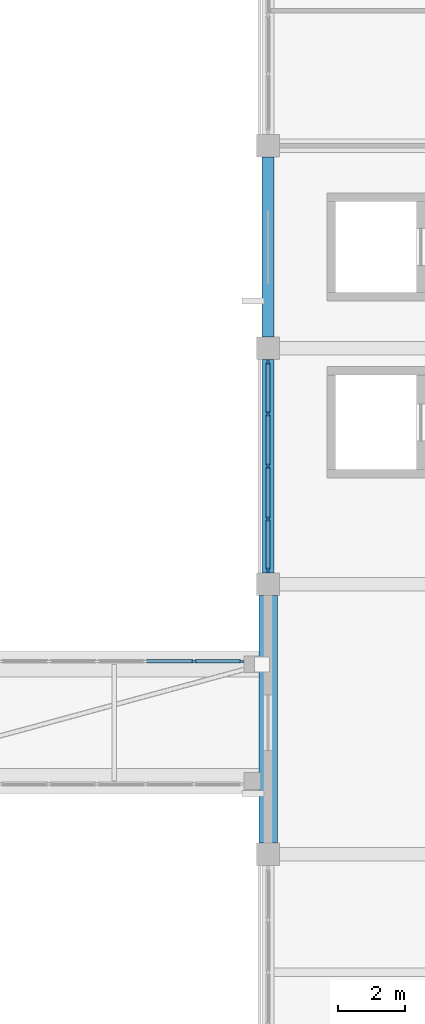
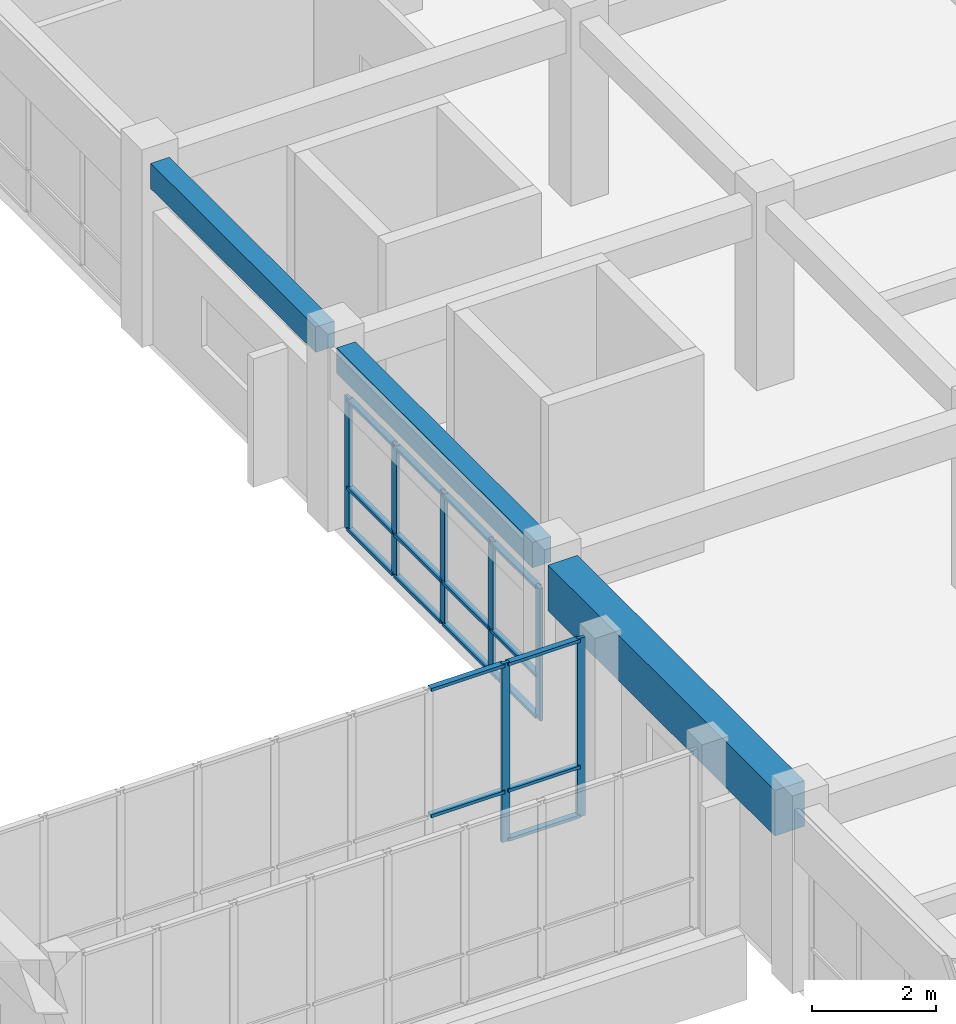
# One storey, part 22 of 66: 24 members, 3 beams, 2 elements without a shape of their own.
"""IFC4 building model written with IfcOpenShell, lengths in metres."""

from ifc_helpers import new_model, si_unit, direction, frame, origin, origin_2d, place, context, subcontext, project, spatial, rectangle, extrude, material, layer, layer_set, material_profile, profile_set, type_object, element, aggregate, save


model = new_model("IFC4")

# Units and contexts
model_context = context("Model", 3, precision=1e-05, world=origin(), true_north=direction((0.0, 1.0)))
body_context = subcontext(model_context, "Body", "Model", "MODEL_VIEW")
ifc_project = project(units=[si_unit("LENGTHUNIT", "METRE"), si_unit("AREAUNIT", "SQUARE_METRE"), si_unit("VOLUMEUNIT", "CUBIC_METRE"), si_unit("PLANEANGLEUNIT", "RADIAN"), si_unit("MASSUNIT", "GRAM", prefix="KILO")], contexts=[model_context])

# Site, building, storey
site_placement = place(None, origin())
site = spatial("IfcSite", under=ifc_project, at=site_placement, CompositionType="ELEMENT")
building_placement = place(site_placement, origin())
building = spatial("IfcBuilding", under=site, at=building_placement, Name="Naurynzar Civic Courthouse", CompositionType="ELEMENT")
storey_placement = place(building_placement, frame((0.0, 0.0, 14.39990234375)))
storey = spatial("IfcBuildingStorey", under=building, at=storey_placement, Name="L04", CompositionType="ELEMENT", Elevation=14.39990234375)

# Beams
ifc_material_1 = material(Name="Concrete C40/50", Category="concrete")
ifc_material_profile_1 = material_profile(ifc_material_1, rectangle(XDim=0.35009765625, YDim=0.5, at=origin_2d()), Name="RCB 350x500")
ifc_profile_set_1 = profile_set([ifc_material_profile_1], Name="Concrete C40/50")
beam_type_1 = type_object("IfcBeamType", Name="BM-RC-350x500", PredefinedType="BEAM", material=ifc_profile_set_1)
beam_1_placement = place(storey_placement, frame((130.0, 25.33740234375, 3.330078125), z_axis=(0.0, 1.0, 0.0), x_axis=(-1.0, 0.0, 0.0)))
element("IfcBeam", 1, at=beam_1_placement, inside=storey, type_object=beam_type_1, Name="V5 girder Y-2552 L04", PredefinedType="BEAM", context=body_context, shape_type="SweptSolid", body=[
    extrude(rectangle(XDim=0.35009765625, YDim=0.5, at=origin_2d()), origin(), (0.0, 0.0, 1.0), 6.3251953125),
])
beam_2_placement = place(storey_placement, frame((130.0, 32.33740234375, 3.330078125), z_axis=(0.0, 1.0, 0.0), x_axis=(-1.0, 0.0, 0.0)))
element("IfcBeam", 2, at=beam_2_placement, inside=storey, type_object=beam_type_1, Name="V5 girder Y-2553 L04", PredefinedType="BEAM", context=body_context, shape_type="SweptSolid", body=[
    extrude(rectangle(XDim=0.35009765625, YDim=0.5, at=origin_2d()), origin(), (0.0, 0.0, 1.0), 5.3251953125),
])
ifc_material_2 = material(Name="Concrete C40/50", Category="concrete")
ifc_material_profile_2 = material_profile(ifc_material_2, rectangle(XDim=0.550048828125, YDim=0.89990234375, at=origin_2d()), Name="RCB 550x900")
ifc_profile_set_2 = profile_set([ifc_material_profile_2], Name="Concrete C40/50")
beam_type_2 = type_object("IfcBeamType", Name="BM-RC-550x900", PredefinedType="T_BEAM", material=ifc_profile_set_2)
beam_3_placement = place(storey_placement, frame((130.0, 17.33740234375, 3.130126953125), z_axis=(0.0, 1.0, 0.0), x_axis=(-1.0, 0.0, 0.0)))
element("IfcBeam", 3, at=beam_3_placement, inside=storey, type_object=beam_type_2, Name="V5 girder Y-2551 L04", PredefinedType="T_BEAM", context=body_context, shape_type="SweptSolid", body=[
    extrude(rectangle(XDim=0.550048828125, YDim=0.89990234375, at=origin_2d()), origin(), (0.0, 0.0, 1.0), 7.3251953125),
])

# Curtain wall, members
ifc_material_3 = material(Name="Aluminium 6063-T6", Category="aluminium")
ifc_layer_1 = layer(ifc_material_3, 0.179931640625)
ifc_layer_set_1 = layer_set([ifc_layer_1], Name="CW-UNIT-1500")
curtain_wall_type_1 = type_object("IfcCurtainWallType", Name="CW-UNIT-1500", PredefinedType="NOTDEFINED", material=ifc_layer_set_1)
curtain_wall_1_placement = place(storey_placement, origin())
curtain_wall_1 = element("IfcCurtainWall", 4, at=curtain_wall_1_placement, inside=storey, type_object=curtain_wall_type_1, Name="V5 unitised curtain wall 98 L04", PredefinedType="NOTDEFINED")
ifc_material_4 = material(Name="Aluminium 6063-T6", Category="aluminium")
ifc_material_profile_3 = material_profile(ifc_material_4, rectangle(XDim=0.06005859375, YDim=0.14990234375, at=origin_2d()), Name="ALU MULLION 60x150")
ifc_profile_set_3 = profile_set([ifc_material_profile_3], Name="Aluminium 6063-T6")
member_type_1 = type_object("IfcMemberType", Name="CWM-60x150", PredefinedType="MULLION", material=ifc_profile_set_3)
member_1_placement = place(storey_placement, frame((130.0, 25.41748046875, 0.0), z_axis=(0.0, 0.0, 1.0), x_axis=(-1.0, 0.0, 0.0)))
member_1 = element("IfcMember", 5, at=member_1_placement, type_object=member_type_1, Name="CW-01 mullion 1", PredefinedType="MULLION", context=body_context, shape_type="SweptSolid", body=[
    extrude(rectangle(XDim=0.06005859375, YDim=0.14990234375, at=origin_2d()), origin(), (0.0, 0.0, 1.0), 2.610107421875),
])
member_2_placement = place(storey_placement, frame((130.0, 26.94384765625, 0.0), z_axis=(0.0, 0.0, 1.0), x_axis=(-1.0, 0.0, 0.0)))
member_2 = element("IfcMember", 6, at=member_2_placement, type_object=member_type_1, Name="CW-01 mullion 2", PredefinedType="MULLION", context=body_context, shape_type="SweptSolid", body=[
    extrude(rectangle(XDim=0.06005859375, YDim=0.14990234375, at=origin_2d()), origin(), (0.0, 0.0, 1.0), 2.610107421875),
])
member_3_placement = place(storey_placement, frame((130.0, 28.5, 0.0), z_axis=(0.0, 0.0, 1.0), x_axis=(-1.0, 0.0, 0.0)))
member_3 = element("IfcMember", 7, at=member_3_placement, type_object=member_type_1, Name="CW-01 mullion 3", PredefinedType="MULLION", context=body_context, shape_type="SweptSolid", body=[
    extrude(rectangle(XDim=0.06005859375, YDim=0.14990234375, at=origin_2d()), origin(), (0.0, 0.0, 1.0), 2.610107421875),
])
member_4_placement = place(storey_placement, frame((130.0, 30.05615234375, 0.0), z_axis=(0.0, 0.0, 1.0), x_axis=(-1.0, 0.0, 0.0)))
member_4 = element("IfcMember", 8, at=member_4_placement, type_object=member_type_1, Name="CW-01 mullion 4", PredefinedType="MULLION", context=body_context, shape_type="SweptSolid", body=[
    extrude(rectangle(XDim=0.06005859375, YDim=0.14990234375, at=origin_2d()), origin(), (0.0, 0.0, 1.0), 2.610107421875),
])
member_5_placement = place(storey_placement, frame((130.0, 31.58251953125, 0.0), z_axis=(0.0, 0.0, 1.0), x_axis=(-1.0, 0.0, 0.0)))
member_5 = element("IfcMember", 9, at=member_5_placement, type_object=member_type_1, Name="CW-01 mullion 5", PredefinedType="MULLION", context=body_context, shape_type="SweptSolid", body=[
    extrude(rectangle(XDim=0.06005859375, YDim=0.14990234375, at=origin_2d()), origin(), (0.0, 0.0, 1.0), 2.610107421875),
])

ifc_material_5 = material(Name="Aluminium 6063-T6", Category="aluminium")
ifc_layer_2 = layer(ifc_material_5, 0.14990234375)
ifc_layer_set_2 = layer_set([ifc_layer_2], Name="CW-BRIDGE-1500")
curtain_wall_type_2 = type_object("IfcCurtainWallType", Name="CW-BRIDGE-1500", PredefinedType="USERDEFINED", material=ifc_layer_set_2)
curtain_wall_2_placement = place(storey_placement, origin())
curtain_wall_2 = element("IfcCurtainWall", 10, at=curtain_wall_2_placement, inside=storey, type_object=curtain_wall_type_2, Name="BR-E2 glazed bridge screen L04.2", ObjectType="GLAZED BRIDGE SCREEN", PredefinedType="USERDEFINED")
member_6_placement = place(storey_placement, frame((129.2099609375, 22.719970703125, 0.0), z_axis=(0.0, 0.0, 1.0), x_axis=(0.0, -1.0, 0.0)))
member_6 = element("IfcMember", 11, at=member_6_placement, type_object=member_type_1, Name="CW-03 mullion 1", PredefinedType="MULLION", context=body_context, shape_type="SweptSolid", body=[
    extrude(rectangle(XDim=0.06005859375, YDim=0.14990234375, at=origin_2d()), origin(), (0.0, 0.0, 1.0), 3.52001953125),
])
member_7_placement = place(storey_placement, frame((127.804931640625, 22.719970703125, 0.0), z_axis=(0.0, 0.0, 1.0), x_axis=(0.0, -1.0, 0.0)))
member_7 = element("IfcMember", 12, at=member_7_placement, type_object=member_type_1, Name="CW-03 mullion 2", PredefinedType="MULLION", context=body_context, shape_type="SweptSolid", body=[
    extrude(rectangle(XDim=0.06005859375, YDim=0.14990234375, at=origin_2d()), origin(), (0.0, 0.0, 1.0), 3.52001953125),
])

# Member
ifc_material_6 = material(Name="Aluminium 6063-T6", Category="aluminium")
ifc_material_profile_4 = material_profile(ifc_material_6, rectangle(XDim=0.110107421875, YDim=0.06005859375, at=origin_2d()), Name="ALU TRANSOM 60x110")
ifc_profile_set_4 = profile_set([ifc_material_profile_4], Name="Aluminium 6063-T6")
member_type_2 = type_object("IfcMemberType", Name="CWT-60x110", PredefinedType="USERDEFINED", material=ifc_profile_set_4)
member_8_placement = place(storey_placement, frame((130.0, 25.447509765625, 0.030029296875), z_axis=(0.0, 1.0, 0.0), x_axis=(-1.0, 0.0, 0.0)))
member_8 = element("IfcMember", 13, at=member_8_placement, type_object=member_type_2, Name="CW-01 transom 1.1", ObjectType="TRANSOM", PredefinedType="USERDEFINED", context=body_context, shape_type="SweptSolid", body=[
    extrude(rectangle(XDim=0.110107421875, YDim=0.06005859375, at=origin_2d()), origin(), (0.0, 0.0, 1.0), 1.46630859375),
])

member_9_placement = place(storey_placement, frame((130.0, 25.447509765625, 0.85009765625), z_axis=(0.0, 1.0, 0.0), x_axis=(-1.0, 0.0, 0.0)))
member_9 = element("IfcMember", 14, at=member_9_placement, type_object=member_type_2, Name="CW-01 transom 1.2", ObjectType="TRANSOM", PredefinedType="USERDEFINED", context=body_context, shape_type="SweptSolid", body=[
    extrude(rectangle(XDim=0.110107421875, YDim=0.06005859375, at=origin_2d()), origin(), (0.0, 0.0, 1.0), 1.46630859375),
])

member_10_placement = place(storey_placement, frame((130.0, 25.447509765625, 2.580078125), z_axis=(0.0, 1.0, 0.0), x_axis=(-1.0, 0.0, 0.0)))
member_10 = element("IfcMember", 15, at=member_10_placement, type_object=member_type_2, Name="CW-01 transom 1.3", ObjectType="TRANSOM", PredefinedType="USERDEFINED", context=body_context, shape_type="SweptSolid", body=[
    extrude(rectangle(XDim=0.110107421875, YDim=0.06005859375, at=origin_2d()), origin(), (0.0, 0.0, 1.0), 1.46630859375),
])

member_11_placement = place(storey_placement, frame((130.0, 26.9736328125, 0.030029296875), z_axis=(0.0, 1.0, 0.0), x_axis=(-1.0, 0.0, 0.0)))
member_11 = element("IfcMember", 16, at=member_11_placement, type_object=member_type_2, Name="CW-01 transom 2.1", ObjectType="TRANSOM", PredefinedType="USERDEFINED", context=body_context, shape_type="SweptSolid", body=[
    extrude(rectangle(XDim=0.110107421875, YDim=0.06005859375, at=origin_2d()), origin(), (0.0, 0.0, 1.0), 1.496337890625),
])

member_12_placement = place(storey_placement, frame((130.0, 26.9736328125, 0.85009765625), z_axis=(0.0, 1.0, 0.0), x_axis=(-1.0, 0.0, 0.0)))
member_12 = element("IfcMember", 17, at=member_12_placement, type_object=member_type_2, Name="CW-01 transom 2.2", ObjectType="TRANSOM", PredefinedType="USERDEFINED", context=body_context, shape_type="SweptSolid", body=[
    extrude(rectangle(XDim=0.110107421875, YDim=0.06005859375, at=origin_2d()), origin(), (0.0, 0.0, 1.0), 1.496337890625),
])

member_13_placement = place(storey_placement, frame((130.0, 26.9736328125, 2.580078125), z_axis=(0.0, 1.0, 0.0), x_axis=(-1.0, 0.0, 0.0)))
member_13 = element("IfcMember", 18, at=member_13_placement, type_object=member_type_2, Name="CW-01 transom 2.3", ObjectType="TRANSOM", PredefinedType="USERDEFINED", context=body_context, shape_type="SweptSolid", body=[
    extrude(rectangle(XDim=0.110107421875, YDim=0.06005859375, at=origin_2d()), origin(), (0.0, 0.0, 1.0), 1.496337890625),
])

member_14_placement = place(storey_placement, frame((130.0, 28.530029296875, 0.030029296875), z_axis=(0.0, 1.0, 0.0), x_axis=(-1.0, 0.0, 0.0)))
member_14 = element("IfcMember", 19, at=member_14_placement, type_object=member_type_2, Name="CW-01 transom 3.1", ObjectType="TRANSOM", PredefinedType="USERDEFINED", context=body_context, shape_type="SweptSolid", body=[
    extrude(rectangle(XDim=0.110107421875, YDim=0.06005859375, at=origin_2d()), origin(), (0.0, 0.0, 1.0), 1.496337890625),
])

member_15_placement = place(storey_placement, frame((130.0, 28.530029296875, 0.85009765625), z_axis=(0.0, 1.0, 0.0), x_axis=(-1.0, 0.0, 0.0)))
member_15 = element("IfcMember", 20, at=member_15_placement, type_object=member_type_2, Name="CW-01 transom 3.2", ObjectType="TRANSOM", PredefinedType="USERDEFINED", context=body_context, shape_type="SweptSolid", body=[
    extrude(rectangle(XDim=0.110107421875, YDim=0.06005859375, at=origin_2d()), origin(), (0.0, 0.0, 1.0), 1.496337890625),
])

member_16_placement = place(storey_placement, frame((130.0, 28.530029296875, 2.580078125), z_axis=(0.0, 1.0, 0.0), x_axis=(-1.0, 0.0, 0.0)))
member_16 = element("IfcMember", 21, at=member_16_placement, type_object=member_type_2, Name="CW-01 transom 3.3", ObjectType="TRANSOM", PredefinedType="USERDEFINED", context=body_context, shape_type="SweptSolid", body=[
    extrude(rectangle(XDim=0.110107421875, YDim=0.06005859375, at=origin_2d()), origin(), (0.0, 0.0, 1.0), 1.496337890625),
])

member_17_placement = place(storey_placement, frame((130.0, 30.086181640625, 0.030029296875), z_axis=(0.0, 1.0, 0.0), x_axis=(-1.0, 0.0, 0.0)))
member_17 = element("IfcMember", 22, at=member_17_placement, type_object=member_type_2, Name="CW-01 transom 4.1", ObjectType="TRANSOM", PredefinedType="USERDEFINED", context=body_context, shape_type="SweptSolid", body=[
    extrude(rectangle(XDim=0.110107421875, YDim=0.06005859375, at=origin_2d()), origin(), (0.0, 0.0, 1.0), 1.46630859375),
])

member_18_placement = place(storey_placement, frame((130.0, 30.086181640625, 0.85009765625), z_axis=(0.0, 1.0, 0.0), x_axis=(-1.0, 0.0, 0.0)))
member_18 = element("IfcMember", 23, at=member_18_placement, type_object=member_type_2, Name="CW-01 transom 4.2", ObjectType="TRANSOM", PredefinedType="USERDEFINED", context=body_context, shape_type="SweptSolid", body=[
    extrude(rectangle(XDim=0.110107421875, YDim=0.06005859375, at=origin_2d()), origin(), (0.0, 0.0, 1.0), 1.46630859375),
])

member_19_placement = place(storey_placement, frame((130.0, 30.086181640625, 2.580078125), z_axis=(0.0, 1.0, 0.0), x_axis=(-1.0, 0.0, 0.0)))
member_19 = element("IfcMember", 24, at=member_19_placement, type_object=member_type_2, Name="CW-01 transom 4.3", ObjectType="TRANSOM", PredefinedType="USERDEFINED", context=body_context, shape_type="SweptSolid", body=[
    extrude(rectangle(XDim=0.110107421875, YDim=0.06005859375, at=origin_2d()), origin(), (0.0, 0.0, 1.0), 1.46630859375),
])

aggregate(curtain_wall_1, [member_1, member_2, member_3, member_4, member_5, member_8, member_9, member_10, member_11, member_12, member_13, member_14, member_15, member_16, member_17, member_18, member_19])

member_20_placement = place(storey_placement, frame((129.179931640625, 22.719970703125, 0.030029296875), z_axis=(-1.0, 0.0, 0.0), x_axis=(0.0, -1.0, 0.0)))
member_20 = element("IfcMember", 25, at=member_20_placement, type_object=member_type_2, Name="CW-03 transom 1.1", ObjectType="TRANSOM", PredefinedType="USERDEFINED", context=body_context, shape_type="SweptSolid", body=[
    extrude(rectangle(XDim=0.110107421875, YDim=0.06005859375, at=origin_2d()), origin(), (0.0, 0.0, 1.0), 1.344970703125),
])

member_21_placement = place(storey_placement, frame((129.179931640625, 22.719970703125, 1.0), z_axis=(-1.0, 0.0, 0.0), x_axis=(0.0, -1.0, 0.0)))
member_21 = element("IfcMember", 26, at=member_21_placement, type_object=member_type_2, Name="CW-03 transom 1.2", ObjectType="TRANSOM", PredefinedType="USERDEFINED", context=body_context, shape_type="SweptSolid", body=[
    extrude(rectangle(XDim=0.110107421875, YDim=0.06005859375, at=origin_2d()), origin(), (0.0, 0.0, 1.0), 1.344970703125),
])

member_22_placement = place(storey_placement, frame((129.179931640625, 22.719970703125, 3.489990234375), z_axis=(-1.0, 0.0, 0.0), x_axis=(0.0, -1.0, 0.0)))
member_22 = element("IfcMember", 27, at=member_22_placement, type_object=member_type_2, Name="CW-03 transom 1.3", ObjectType="TRANSOM", PredefinedType="USERDEFINED", context=body_context, shape_type="SweptSolid", body=[
    extrude(rectangle(XDim=0.110107421875, YDim=0.06005859375, at=origin_2d()), origin(), (0.0, 0.0, 1.0), 1.344970703125),
])

member_23_placement = place(storey_placement, frame((127.77490234375, 22.719970703125, 1.0), z_axis=(-1.0, 0.0, 0.0), x_axis=(0.0, -1.0, 0.0)))
member_23 = element("IfcMember", 28, at=member_23_placement, type_object=member_type_2, Name="CW-03 transom 2.2", ObjectType="TRANSOM", PredefinedType="USERDEFINED", context=body_context, shape_type="SweptSolid", body=[
    extrude(rectangle(XDim=0.110107421875, YDim=0.06005859375, at=origin_2d()), origin(), (0.0, 0.0, 1.0), 1.375),
])

member_24_placement = place(storey_placement, frame((127.77490234375, 22.719970703125, 3.489990234375), z_axis=(-1.0, 0.0, 0.0), x_axis=(0.0, -1.0, 0.0)))
member_24 = element("IfcMember", 29, at=member_24_placement, type_object=member_type_2, Name="CW-03 transom 2.3", ObjectType="TRANSOM", PredefinedType="USERDEFINED", context=body_context, shape_type="SweptSolid", body=[
    extrude(rectangle(XDim=0.110107421875, YDim=0.06005859375, at=origin_2d()), origin(), (0.0, 0.0, 1.0), 1.375),
])

aggregate(curtain_wall_2, [member_6, member_7, member_20, member_21, member_22, member_23, member_24])

save(model, "model.ifc")
